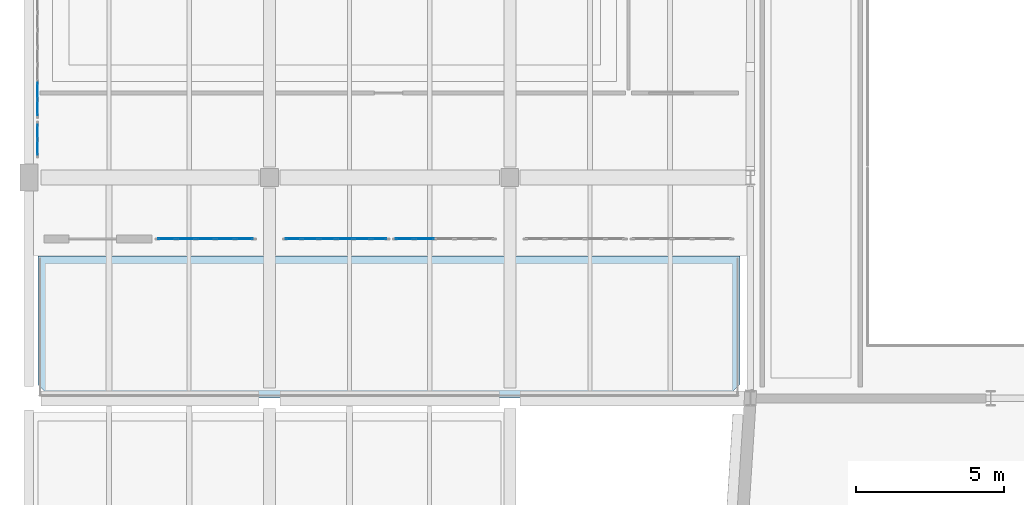
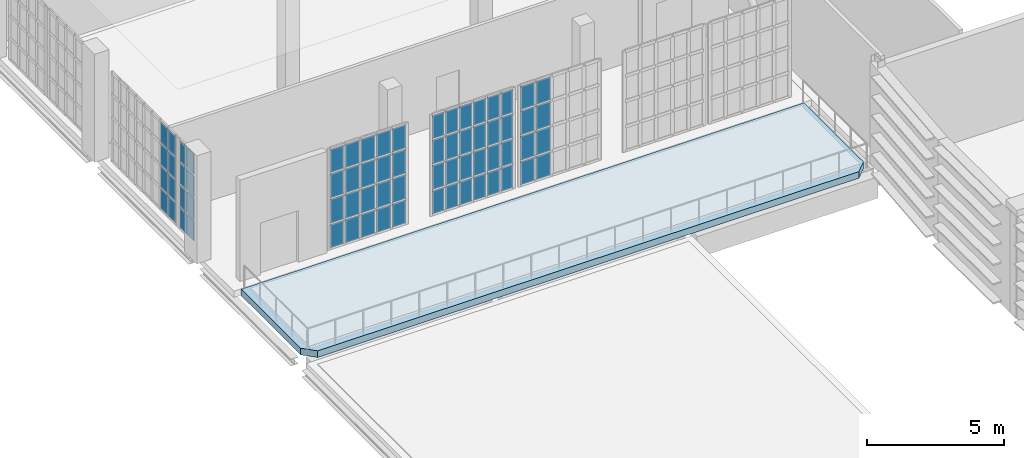
# One storey, part 69 of 104: 68 plates, 1 slab, 5 elements without a shape of their own.
"""IFC4 building model written with IfcOpenShell, lengths in metres."""

from ifc_helpers import new_model, si_unit, direction, frame, origin, origin_2d, place, context, subcontext, project, spatial, polyline, rectangle, outline, extrude, material, layer, layer_set, type_object, element, aggregate, save


model = new_model("IFC4")

# Units and contexts
model_context = context("Model", 3, precision=1e-05, world=origin(), true_north=direction((0.0, 1.0)))
body_context = subcontext(model_context, "Body", "Model", "MODEL_VIEW")
ifc_project = project(units=[si_unit("LENGTHUNIT", "METRE"), si_unit("AREAUNIT", "SQUARE_METRE"), si_unit("VOLUMEUNIT", "CUBIC_METRE"), si_unit("PLANEANGLEUNIT", "RADIAN"), si_unit("MASSUNIT", "GRAM", prefix="KILO")], contexts=[model_context])

# Site, building, storey
site_placement = place(None, origin())
site = spatial("IfcSite", under=ifc_project, at=site_placement, CompositionType="ELEMENT")
building_placement = place(site_placement, origin())
building = spatial("IfcBuilding", under=site, at=building_placement, Name="Kaelora Sail Theatre", CompositionType="ELEMENT")
storey_placement = place(building_placement, frame((0.0, 0.0, 5.39990234375)))
storey = spatial("IfcBuildingStorey", under=building, at=storey_placement, Name="L01", CompositionType="ELEMENT", Elevation=5.39990234375)

# Curtain wall, plates
ifc_material_1 = material(Name="Anodised aluminium and solar-control low-E IGU", Category="aluminium")
curtain_wall_type_1 = type_object("IfcCurtainWallType", Name="ARC-CW-CW-FOY2", PredefinedType="NOTDEFINED", material=ifc_material_1)
curtain_wall_1_placement = place(storey_placement, origin())
curtain_wall_1 = element("IfcCurtainWall", 1, at=curtain_wall_1_placement, inside=storey, type_object=curtain_wall_type_1, Name="Glazed Foyer/Conservatory Curtain Wall FW1-S-L01-01", PredefinedType="NOTDEFINED")
ifc_material_2 = material(Name="Solar-control laminated low-E glass", Category="glass")
ifc_layer_1 = layer(ifc_material_2, 0.031982421875)
ifc_layer_set_1 = layer_set([ifc_layer_1], Name="Solar-control laminated low-E glass")
plate_type = type_object("IfcPlateType", Name="ARC-CW-PNL", PredefinedType="CURTAIN_PANEL", material=ifc_layer_set_1)
plate_1_placement = place(storey_placement, frame((6.14501953125, 66.389892578125, 0.0703125), z_axis=(0.0, 0.0, 1.0), x_axis=(1.0, 0.0, 0.0)))
plate_1 = element("IfcPlate", 2, at=plate_1_placement, type_object=plate_type, Name="CW-FOY2 panel 1.1", PredefinedType="CURTAIN_PANEL", context=body_context, shape_type="SweptSolid", body=[
    extrude(rectangle(XDim=0.570068359375, YDim=0.031982421875, at=origin_2d()), origin(), (0.0, 0.0, 1.0), 1.021240234375),
])
plate_2_placement = place(storey_placement, frame((6.14501953125, 66.389892578125, 1.161376953125), z_axis=(0.0, 0.0, 1.0), x_axis=(1.0, 0.0, 0.0)))
plate_2 = element("IfcPlate", 3, at=plate_2_placement, type_object=plate_type, Name="CW-FOY2 panel 1.2", PredefinedType="CURTAIN_PANEL", context=body_context, shape_type="SweptSolid", body=[
    extrude(rectangle(XDim=0.570068359375, YDim=0.031982421875, at=origin_2d()), origin(), (0.0, 0.0, 1.0), 1.05615234375),
])
plate_3_placement = place(storey_placement, frame((6.14501953125, 66.389892578125, 2.28759765625), z_axis=(0.0, 0.0, 1.0), x_axis=(1.0, 0.0, 0.0)))
plate_3 = element("IfcPlate", 4, at=plate_3_placement, type_object=plate_type, Name="CW-FOY2 panel 1.3", PredefinedType="CURTAIN_PANEL", context=body_context, shape_type="SweptSolid", body=[
    extrude(rectangle(XDim=0.570068359375, YDim=0.031982421875, at=origin_2d()), origin(), (0.0, 0.0, 1.0), 1.056396484375),
])
plate_4_placement = place(storey_placement, frame((6.14501953125, 66.389892578125, 3.4140625), z_axis=(0.0, 0.0, 1.0), x_axis=(1.0, 0.0, 0.0)))
plate_4 = element("IfcPlate", 5, at=plate_4_placement, type_object=plate_type, Name="CW-FOY2 panel 1.4", PredefinedType="CURTAIN_PANEL", context=body_context, shape_type="SweptSolid", body=[
    extrude(rectangle(XDim=0.570068359375, YDim=0.031982421875, at=origin_2d()), origin(), (0.0, 0.0, 1.0), 1.021240234375),
])
plate_5_placement = place(storey_placement, frame((6.7900390625, 66.389892578125, 0.0703125), z_axis=(0.0, 0.0, 1.0), x_axis=(1.0, 0.0, 0.0)))
plate_5 = element("IfcPlate", 6, at=plate_5_placement, type_object=plate_type, Name="CW-FOY2 panel 2.1", PredefinedType="CURTAIN_PANEL", context=body_context, shape_type="SweptSolid", body=[
    extrude(rectangle(XDim=0.60009765625, YDim=0.031982421875, at=origin_2d()), origin(), (0.0, 0.0, 1.0), 1.021240234375),
])
plate_6_placement = place(storey_placement, frame((6.7900390625, 66.389892578125, 1.161376953125), z_axis=(0.0, 0.0, 1.0), x_axis=(1.0, 0.0, 0.0)))
plate_6 = element("IfcPlate", 7, at=plate_6_placement, type_object=plate_type, Name="CW-FOY2 panel 2.2", PredefinedType="CURTAIN_PANEL", context=body_context, shape_type="SweptSolid", body=[
    extrude(rectangle(XDim=0.60009765625, YDim=0.031982421875, at=origin_2d()), origin(), (0.0, 0.0, 1.0), 1.05615234375),
])
plate_7_placement = place(storey_placement, frame((6.7900390625, 66.389892578125, 2.28759765625), z_axis=(0.0, 0.0, 1.0), x_axis=(1.0, 0.0, 0.0)))
plate_7 = element("IfcPlate", 8, at=plate_7_placement, type_object=plate_type, Name="CW-FOY2 panel 2.3", PredefinedType="CURTAIN_PANEL", context=body_context, shape_type="SweptSolid", body=[
    extrude(rectangle(XDim=0.60009765625, YDim=0.031982421875, at=origin_2d()), origin(), (0.0, 0.0, 1.0), 1.056396484375),
])
plate_8_placement = place(storey_placement, frame((6.7900390625, 66.389892578125, 3.4140625), z_axis=(0.0, 0.0, 1.0), x_axis=(1.0, 0.0, 0.0)))
plate_8 = element("IfcPlate", 9, at=plate_8_placement, type_object=plate_type, Name="CW-FOY2 panel 2.4", PredefinedType="CURTAIN_PANEL", context=body_context, shape_type="SweptSolid", body=[
    extrude(rectangle(XDim=0.60009765625, YDim=0.031982421875, at=origin_2d()), origin(), (0.0, 0.0, 1.0), 1.021240234375),
])
plate_9_placement = place(storey_placement, frame((7.449951171875, 66.389892578125, 0.0703125), z_axis=(0.0, 0.0, 1.0), x_axis=(1.0, 0.0, 0.0)))
plate_9 = element("IfcPlate", 10, at=plate_9_placement, type_object=plate_type, Name="CW-FOY2 panel 3.1", PredefinedType="CURTAIN_PANEL", context=body_context, shape_type="SweptSolid", body=[
    extrude(rectangle(XDim=0.60009765625, YDim=0.031982421875, at=origin_2d()), origin(), (0.0, 0.0, 1.0), 1.021240234375),
])
plate_10_placement = place(storey_placement, frame((7.449951171875, 66.389892578125, 1.161376953125), z_axis=(0.0, 0.0, 1.0), x_axis=(1.0, 0.0, 0.0)))
plate_10 = element("IfcPlate", 11, at=plate_10_placement, type_object=plate_type, Name="CW-FOY2 panel 3.2", PredefinedType="CURTAIN_PANEL", context=body_context, shape_type="SweptSolid", body=[
    extrude(rectangle(XDim=0.60009765625, YDim=0.031982421875, at=origin_2d()), origin(), (0.0, 0.0, 1.0), 1.05615234375),
])
plate_11_placement = place(storey_placement, frame((7.449951171875, 66.389892578125, 2.28759765625), z_axis=(0.0, 0.0, 1.0), x_axis=(1.0, 0.0, 0.0)))
plate_11 = element("IfcPlate", 12, at=plate_11_placement, type_object=plate_type, Name="CW-FOY2 panel 3.3", PredefinedType="CURTAIN_PANEL", context=body_context, shape_type="SweptSolid", body=[
    extrude(rectangle(XDim=0.60009765625, YDim=0.031982421875, at=origin_2d()), origin(), (0.0, 0.0, 1.0), 1.056396484375),
])
plate_12_placement = place(storey_placement, frame((7.449951171875, 66.389892578125, 3.4140625), z_axis=(0.0, 0.0, 1.0), x_axis=(1.0, 0.0, 0.0)))
plate_12 = element("IfcPlate", 13, at=plate_12_placement, type_object=plate_type, Name="CW-FOY2 panel 3.4", PredefinedType="CURTAIN_PANEL", context=body_context, shape_type="SweptSolid", body=[
    extrude(rectangle(XDim=0.60009765625, YDim=0.031982421875, at=origin_2d()), origin(), (0.0, 0.0, 1.0), 1.021240234375),
])
plate_13_placement = place(storey_placement, frame((8.110107421875, 66.389892578125, 0.0703125), z_axis=(0.0, 0.0, 1.0), x_axis=(1.0, 0.0, 0.0)))
plate_13 = element("IfcPlate", 14, at=plate_13_placement, type_object=plate_type, Name="CW-FOY2 panel 4.1", PredefinedType="CURTAIN_PANEL", context=body_context, shape_type="SweptSolid", body=[
    extrude(rectangle(XDim=0.60009765625, YDim=0.031982421875, at=origin_2d()), origin(), (0.0, 0.0, 1.0), 1.021240234375),
])
plate_14_placement = place(storey_placement, frame((8.110107421875, 66.389892578125, 1.161376953125), z_axis=(0.0, 0.0, 1.0), x_axis=(1.0, 0.0, 0.0)))
plate_14 = element("IfcPlate", 15, at=plate_14_placement, type_object=plate_type, Name="CW-FOY2 panel 4.2", PredefinedType="CURTAIN_PANEL", context=body_context, shape_type="SweptSolid", body=[
    extrude(rectangle(XDim=0.60009765625, YDim=0.031982421875, at=origin_2d()), origin(), (0.0, 0.0, 1.0), 1.05615234375),
])
plate_15_placement = place(storey_placement, frame((8.110107421875, 66.389892578125, 2.28759765625), z_axis=(0.0, 0.0, 1.0), x_axis=(1.0, 0.0, 0.0)))
plate_15 = element("IfcPlate", 16, at=plate_15_placement, type_object=plate_type, Name="CW-FOY2 panel 4.3", PredefinedType="CURTAIN_PANEL", context=body_context, shape_type="SweptSolid", body=[
    extrude(rectangle(XDim=0.60009765625, YDim=0.031982421875, at=origin_2d()), origin(), (0.0, 0.0, 1.0), 1.056396484375),
])
plate_16_placement = place(storey_placement, frame((8.110107421875, 66.389892578125, 3.4140625), z_axis=(0.0, 0.0, 1.0), x_axis=(1.0, 0.0, 0.0)))
plate_16 = element("IfcPlate", 17, at=plate_16_placement, type_object=plate_type, Name="CW-FOY2 panel 4.4", PredefinedType="CURTAIN_PANEL", context=body_context, shape_type="SweptSolid", body=[
    extrude(rectangle(XDim=0.60009765625, YDim=0.031982421875, at=origin_2d()), origin(), (0.0, 0.0, 1.0), 1.021240234375),
])
plate_17_placement = place(storey_placement, frame((8.7548828125, 66.389892578125, 0.0703125), z_axis=(0.0, 0.0, 1.0), x_axis=(1.0, 0.0, 0.0)))
plate_17 = element("IfcPlate", 18, at=plate_17_placement, type_object=plate_type, Name="CW-FOY2 panel 5.1", PredefinedType="CURTAIN_PANEL", context=body_context, shape_type="SweptSolid", body=[
    extrude(rectangle(XDim=0.570068359375, YDim=0.031982421875, at=origin_2d()), origin(), (0.0, 0.0, 1.0), 1.021240234375),
])
plate_18_placement = place(storey_placement, frame((8.7548828125, 66.389892578125, 1.161376953125), z_axis=(0.0, 0.0, 1.0), x_axis=(1.0, 0.0, 0.0)))
plate_18 = element("IfcPlate", 19, at=plate_18_placement, type_object=plate_type, Name="CW-FOY2 panel 5.2", PredefinedType="CURTAIN_PANEL", context=body_context, shape_type="SweptSolid", body=[
    extrude(rectangle(XDim=0.570068359375, YDim=0.031982421875, at=origin_2d()), origin(), (0.0, 0.0, 1.0), 1.05615234375),
])
plate_19_placement = place(storey_placement, frame((8.7548828125, 66.389892578125, 2.28759765625), z_axis=(0.0, 0.0, 1.0), x_axis=(1.0, 0.0, 0.0)))
plate_19 = element("IfcPlate", 20, at=plate_19_placement, type_object=plate_type, Name="CW-FOY2 panel 5.3", PredefinedType="CURTAIN_PANEL", context=body_context, shape_type="SweptSolid", body=[
    extrude(rectangle(XDim=0.570068359375, YDim=0.031982421875, at=origin_2d()), origin(), (0.0, 0.0, 1.0), 1.056396484375),
])
plate_20_placement = place(storey_placement, frame((8.7548828125, 66.389892578125, 3.4140625), z_axis=(0.0, 0.0, 1.0), x_axis=(1.0, 0.0, 0.0)))
plate_20 = element("IfcPlate", 21, at=plate_20_placement, type_object=plate_type, Name="CW-FOY2 panel 5.4", PredefinedType="CURTAIN_PANEL", context=body_context, shape_type="SweptSolid", body=[
    extrude(rectangle(XDim=0.570068359375, YDim=0.031982421875, at=origin_2d()), origin(), (0.0, 0.0, 1.0), 1.021240234375),
])
aggregate(curtain_wall_1, [plate_1, plate_2, plate_3, plate_4, plate_5, plate_6, plate_7, plate_8, plate_9, plate_10, plate_11, plate_12, plate_13, plate_14, plate_15, plate_16, plate_17, plate_18, plate_19, plate_20])

curtain_wall_2_placement = place(storey_placement, origin())
curtain_wall_2 = element("IfcCurtainWall", 22, at=curtain_wall_2_placement, inside=storey, type_object=curtain_wall_type_1, Name="Glazed Foyer/Conservatory Curtain Wall FW1-S-L01-02", PredefinedType="NOTDEFINED")
plate_21_placement = place(storey_placement, frame((10.40673828125, 66.389892578125, 0.0703125), z_axis=(0.0, 0.0, 1.0), x_axis=(1.0, 0.0, 0.0)))
plate_21 = element("IfcPlate", 23, at=plate_21_placement, type_object=plate_type, Name="CW-FOY2 panel 1.1", PredefinedType="CURTAIN_PANEL", context=body_context, shape_type="SweptSolid", body=[
    extrude(rectangle(XDim=0.493408203125, YDim=0.031982421875, at=origin_2d()), origin(), (0.0, 0.0, 1.0), 1.021240234375),
])
plate_22_placement = place(storey_placement, frame((10.40673828125, 66.389892578125, 1.161376953125), z_axis=(0.0, 0.0, 1.0), x_axis=(1.0, 0.0, 0.0)))
plate_22 = element("IfcPlate", 24, at=plate_22_placement, type_object=plate_type, Name="CW-FOY2 panel 1.2", PredefinedType="CURTAIN_PANEL", context=body_context, shape_type="SweptSolid", body=[
    extrude(rectangle(XDim=0.493408203125, YDim=0.031982421875, at=origin_2d()), origin(), (0.0, 0.0, 1.0), 1.05615234375),
])
plate_23_placement = place(storey_placement, frame((10.40673828125, 66.389892578125, 2.28759765625), z_axis=(0.0, 0.0, 1.0), x_axis=(1.0, 0.0, 0.0)))
plate_23 = element("IfcPlate", 25, at=plate_23_placement, type_object=plate_type, Name="CW-FOY2 panel 1.3", PredefinedType="CURTAIN_PANEL", context=body_context, shape_type="SweptSolid", body=[
    extrude(rectangle(XDim=0.493408203125, YDim=0.031982421875, at=origin_2d()), origin(), (0.0, 0.0, 1.0), 1.056396484375),
])
plate_24_placement = place(storey_placement, frame((10.40673828125, 66.389892578125, 3.4140625), z_axis=(0.0, 0.0, 1.0), x_axis=(1.0, 0.0, 0.0)))
plate_24 = element("IfcPlate", 26, at=plate_24_placement, type_object=plate_type, Name="CW-FOY2 panel 1.4", PredefinedType="CURTAIN_PANEL", context=body_context, shape_type="SweptSolid", body=[
    extrude(rectangle(XDim=0.493408203125, YDim=0.031982421875, at=origin_2d()), origin(), (0.0, 0.0, 1.0), 1.021240234375),
])
plate_25_placement = place(storey_placement, frame((10.97509765625, 66.389892578125, 0.0703125), z_axis=(0.0, 0.0, 1.0), x_axis=(1.0, 0.0, 0.0)))
plate_25 = element("IfcPlate", 27, at=plate_25_placement, type_object=plate_type, Name="CW-FOY2 panel 2.1", PredefinedType="CURTAIN_PANEL", context=body_context, shape_type="SweptSolid", body=[
    extrude(rectangle(XDim=0.5234375, YDim=0.031982421875, at=origin_2d()), origin(), (0.0, 0.0, 1.0), 1.021240234375),
])
plate_26_placement = place(storey_placement, frame((10.97509765625, 66.389892578125, 1.161376953125), z_axis=(0.0, 0.0, 1.0), x_axis=(1.0, 0.0, 0.0)))
plate_26 = element("IfcPlate", 28, at=plate_26_placement, type_object=plate_type, Name="CW-FOY2 panel 2.2", PredefinedType="CURTAIN_PANEL", context=body_context, shape_type="SweptSolid", body=[
    extrude(rectangle(XDim=0.5234375, YDim=0.031982421875, at=origin_2d()), origin(), (0.0, 0.0, 1.0), 1.05615234375),
])
plate_27_placement = place(storey_placement, frame((10.97509765625, 66.389892578125, 2.28759765625), z_axis=(0.0, 0.0, 1.0), x_axis=(1.0, 0.0, 0.0)))
plate_27 = element("IfcPlate", 29, at=plate_27_placement, type_object=plate_type, Name="CW-FOY2 panel 2.3", PredefinedType="CURTAIN_PANEL", context=body_context, shape_type="SweptSolid", body=[
    extrude(rectangle(XDim=0.5234375, YDim=0.031982421875, at=origin_2d()), origin(), (0.0, 0.0, 1.0), 1.056396484375),
])
plate_28_placement = place(storey_placement, frame((10.97509765625, 66.389892578125, 3.4140625), z_axis=(0.0, 0.0, 1.0), x_axis=(1.0, 0.0, 0.0)))
plate_28 = element("IfcPlate", 30, at=plate_28_placement, type_object=plate_type, Name="CW-FOY2 panel 2.4", PredefinedType="CURTAIN_PANEL", context=body_context, shape_type="SweptSolid", body=[
    extrude(rectangle(XDim=0.5234375, YDim=0.031982421875, at=origin_2d()), origin(), (0.0, 0.0, 1.0), 1.021240234375),
])
plate_29_placement = place(storey_placement, frame((11.558349609375, 66.389892578125, 0.0703125), z_axis=(0.0, 0.0, 1.0), x_axis=(1.0, 0.0, 0.0)))
plate_29 = element("IfcPlate", 31, at=plate_29_placement, type_object=plate_type, Name="CW-FOY2 panel 3.1", PredefinedType="CURTAIN_PANEL", context=body_context, shape_type="SweptSolid", body=[
    extrude(rectangle(XDim=0.5234375, YDim=0.031982421875, at=origin_2d()), origin(), (0.0, 0.0, 1.0), 1.021240234375),
])
plate_30_placement = place(storey_placement, frame((11.558349609375, 66.389892578125, 1.161376953125), z_axis=(0.0, 0.0, 1.0), x_axis=(1.0, 0.0, 0.0)))
plate_30 = element("IfcPlate", 32, at=plate_30_placement, type_object=plate_type, Name="CW-FOY2 panel 3.2", PredefinedType="CURTAIN_PANEL", context=body_context, shape_type="SweptSolid", body=[
    extrude(rectangle(XDim=0.5234375, YDim=0.031982421875, at=origin_2d()), origin(), (0.0, 0.0, 1.0), 1.05615234375),
])
plate_31_placement = place(storey_placement, frame((11.558349609375, 66.389892578125, 2.28759765625), z_axis=(0.0, 0.0, 1.0), x_axis=(1.0, 0.0, 0.0)))
plate_31 = element("IfcPlate", 33, at=plate_31_placement, type_object=plate_type, Name="CW-FOY2 panel 3.3", PredefinedType="CURTAIN_PANEL", context=body_context, shape_type="SweptSolid", body=[
    extrude(rectangle(XDim=0.5234375, YDim=0.031982421875, at=origin_2d()), origin(), (0.0, 0.0, 1.0), 1.056396484375),
])
plate_32_placement = place(storey_placement, frame((11.558349609375, 66.389892578125, 3.4140625), z_axis=(0.0, 0.0, 1.0), x_axis=(1.0, 0.0, 0.0)))
plate_32 = element("IfcPlate", 34, at=plate_32_placement, type_object=plate_type, Name="CW-FOY2 panel 3.4", PredefinedType="CURTAIN_PANEL", context=body_context, shape_type="SweptSolid", body=[
    extrude(rectangle(XDim=0.5234375, YDim=0.031982421875, at=origin_2d()), origin(), (0.0, 0.0, 1.0), 1.021240234375),
])
plate_33_placement = place(storey_placement, frame((12.1416015625, 66.389892578125, 0.0703125), z_axis=(0.0, 0.0, 1.0), x_axis=(1.0, 0.0, 0.0)))
plate_33 = element("IfcPlate", 35, at=plate_33_placement, type_object=plate_type, Name="CW-FOY2 panel 4.1", PredefinedType="CURTAIN_PANEL", context=body_context, shape_type="SweptSolid", body=[
    extrude(rectangle(XDim=0.5234375, YDim=0.031982421875, at=origin_2d()), origin(), (0.0, 0.0, 1.0), 1.021240234375),
])
plate_34_placement = place(storey_placement, frame((12.1416015625, 66.389892578125, 1.161376953125), z_axis=(0.0, 0.0, 1.0), x_axis=(1.0, 0.0, 0.0)))
plate_34 = element("IfcPlate", 36, at=plate_34_placement, type_object=plate_type, Name="CW-FOY2 panel 4.2", PredefinedType="CURTAIN_PANEL", context=body_context, shape_type="SweptSolid", body=[
    extrude(rectangle(XDim=0.5234375, YDim=0.031982421875, at=origin_2d()), origin(), (0.0, 0.0, 1.0), 1.05615234375),
])
plate_35_placement = place(storey_placement, frame((12.1416015625, 66.389892578125, 2.28759765625), z_axis=(0.0, 0.0, 1.0), x_axis=(1.0, 0.0, 0.0)))
plate_35 = element("IfcPlate", 37, at=plate_35_placement, type_object=plate_type, Name="CW-FOY2 panel 4.3", PredefinedType="CURTAIN_PANEL", context=body_context, shape_type="SweptSolid", body=[
    extrude(rectangle(XDim=0.5234375, YDim=0.031982421875, at=origin_2d()), origin(), (0.0, 0.0, 1.0), 1.056396484375),
])
plate_36_placement = place(storey_placement, frame((12.1416015625, 66.389892578125, 3.4140625), z_axis=(0.0, 0.0, 1.0), x_axis=(1.0, 0.0, 0.0)))
plate_36 = element("IfcPlate", 38, at=plate_36_placement, type_object=plate_type, Name="CW-FOY2 panel 4.4", PredefinedType="CURTAIN_PANEL", context=body_context, shape_type="SweptSolid", body=[
    extrude(rectangle(XDim=0.5234375, YDim=0.031982421875, at=origin_2d()), origin(), (0.0, 0.0, 1.0), 1.021240234375),
])
plate_37_placement = place(storey_placement, frame((12.72509765625, 66.389892578125, 0.0703125), z_axis=(0.0, 0.0, 1.0), x_axis=(1.0, 0.0, 0.0)))
plate_37 = element("IfcPlate", 39, at=plate_37_placement, type_object=plate_type, Name="CW-FOY2 panel 5.1", PredefinedType="CURTAIN_PANEL", context=body_context, shape_type="SweptSolid", body=[
    extrude(rectangle(XDim=0.5234375, YDim=0.031982421875, at=origin_2d()), origin(), (0.0, 0.0, 1.0), 1.021240234375),
])
plate_38_placement = place(storey_placement, frame((12.72509765625, 66.389892578125, 1.161376953125), z_axis=(0.0, 0.0, 1.0), x_axis=(1.0, 0.0, 0.0)))
plate_38 = element("IfcPlate", 40, at=plate_38_placement, type_object=plate_type, Name="CW-FOY2 panel 5.2", PredefinedType="CURTAIN_PANEL", context=body_context, shape_type="SweptSolid", body=[
    extrude(rectangle(XDim=0.5234375, YDim=0.031982421875, at=origin_2d()), origin(), (0.0, 0.0, 1.0), 1.05615234375),
])
plate_39_placement = place(storey_placement, frame((12.72509765625, 66.389892578125, 2.28759765625), z_axis=(0.0, 0.0, 1.0), x_axis=(1.0, 0.0, 0.0)))
plate_39 = element("IfcPlate", 41, at=plate_39_placement, type_object=plate_type, Name="CW-FOY2 panel 5.3", PredefinedType="CURTAIN_PANEL", context=body_context, shape_type="SweptSolid", body=[
    extrude(rectangle(XDim=0.5234375, YDim=0.031982421875, at=origin_2d()), origin(), (0.0, 0.0, 1.0), 1.056396484375),
])
plate_40_placement = place(storey_placement, frame((12.72509765625, 66.389892578125, 3.4140625), z_axis=(0.0, 0.0, 1.0), x_axis=(1.0, 0.0, 0.0)))
plate_40 = element("IfcPlate", 42, at=plate_40_placement, type_object=plate_type, Name="CW-FOY2 panel 5.4", PredefinedType="CURTAIN_PANEL", context=body_context, shape_type="SweptSolid", body=[
    extrude(rectangle(XDim=0.5234375, YDim=0.031982421875, at=origin_2d()), origin(), (0.0, 0.0, 1.0), 1.021240234375),
])
plate_41_placement = place(storey_placement, frame((13.293212890625, 66.389892578125, 0.0703125), z_axis=(0.0, 0.0, 1.0), x_axis=(1.0, 0.0, 0.0)))
plate_41 = element("IfcPlate", 43, at=plate_41_placement, type_object=plate_type, Name="CW-FOY2 panel 6.1", PredefinedType="CURTAIN_PANEL", context=body_context, shape_type="SweptSolid", body=[
    extrude(rectangle(XDim=0.493408203125, YDim=0.031982421875, at=origin_2d()), origin(), (0.0, 0.0, 1.0), 1.021240234375),
])
plate_42_placement = place(storey_placement, frame((13.293212890625, 66.389892578125, 1.161376953125), z_axis=(0.0, 0.0, 1.0), x_axis=(1.0, 0.0, 0.0)))
plate_42 = element("IfcPlate", 44, at=plate_42_placement, type_object=plate_type, Name="CW-FOY2 panel 6.2", PredefinedType="CURTAIN_PANEL", context=body_context, shape_type="SweptSolid", body=[
    extrude(rectangle(XDim=0.493408203125, YDim=0.031982421875, at=origin_2d()), origin(), (0.0, 0.0, 1.0), 1.05615234375),
])
plate_43_placement = place(storey_placement, frame((13.293212890625, 66.389892578125, 2.28759765625), z_axis=(0.0, 0.0, 1.0), x_axis=(1.0, 0.0, 0.0)))
plate_43 = element("IfcPlate", 45, at=plate_43_placement, type_object=plate_type, Name="CW-FOY2 panel 6.3", PredefinedType="CURTAIN_PANEL", context=body_context, shape_type="SweptSolid", body=[
    extrude(rectangle(XDim=0.493408203125, YDim=0.031982421875, at=origin_2d()), origin(), (0.0, 0.0, 1.0), 1.056396484375),
])
plate_44_placement = place(storey_placement, frame((13.293212890625, 66.389892578125, 3.4140625), z_axis=(0.0, 0.0, 1.0), x_axis=(1.0, 0.0, 0.0)))
plate_44 = element("IfcPlate", 46, at=plate_44_placement, type_object=plate_type, Name="CW-FOY2 panel 6.4", PredefinedType="CURTAIN_PANEL", context=body_context, shape_type="SweptSolid", body=[
    extrude(rectangle(XDim=0.493408203125, YDim=0.031982421875, at=origin_2d()), origin(), (0.0, 0.0, 1.0), 1.021240234375),
])
aggregate(curtain_wall_2, [plate_21, plate_22, plate_23, plate_24, plate_25, plate_26, plate_27, plate_28, plate_29, plate_30, plate_31, plate_32, plate_33, plate_34, plate_35, plate_36, plate_37, plate_38, plate_39, plate_40, plate_41, plate_42, plate_43, plate_44])

curtain_wall_3_placement = place(storey_placement, origin())
curtain_wall_3 = element("IfcCurtainWall", 47, at=curtain_wall_3_placement, inside=storey, type_object=curtain_wall_type_1, Name="Glazed Foyer/Conservatory Curtain Wall FW1-S-L01-03", PredefinedType="NOTDEFINED")
plate_45_placement = place(storey_placement, frame((14.155029296875, 66.389892578125, 0.0703125), z_axis=(0.0, 0.0, 1.0), x_axis=(1.0, 0.0, 0.0)))
plate_45 = element("IfcPlate", 48, at=plate_45_placement, type_object=plate_type, Name="CW-FOY2 panel 1.1", PredefinedType="CURTAIN_PANEL", context=body_context, shape_type="SweptSolid", body=[
    extrude(rectangle(XDim=0.590087890625, YDim=0.031982421875, at=origin_2d()), origin(), (0.0, 0.0, 1.0), 1.021240234375),
])
plate_46_placement = place(storey_placement, frame((14.155029296875, 66.389892578125, 1.161376953125), z_axis=(0.0, 0.0, 1.0), x_axis=(1.0, 0.0, 0.0)))
plate_46 = element("IfcPlate", 49, at=plate_46_placement, type_object=plate_type, Name="CW-FOY2 panel 1.2", PredefinedType="CURTAIN_PANEL", context=body_context, shape_type="SweptSolid", body=[
    extrude(rectangle(XDim=0.590087890625, YDim=0.031982421875, at=origin_2d()), origin(), (0.0, 0.0, 1.0), 1.05615234375),
])
plate_47_placement = place(storey_placement, frame((14.155029296875, 66.389892578125, 2.28759765625), z_axis=(0.0, 0.0, 1.0), x_axis=(1.0, 0.0, 0.0)))
plate_47 = element("IfcPlate", 50, at=plate_47_placement, type_object=plate_type, Name="CW-FOY2 panel 1.3", PredefinedType="CURTAIN_PANEL", context=body_context, shape_type="SweptSolid", body=[
    extrude(rectangle(XDim=0.590087890625, YDim=0.031982421875, at=origin_2d()), origin(), (0.0, 0.0, 1.0), 1.056396484375),
])
plate_48_placement = place(storey_placement, frame((14.155029296875, 66.389892578125, 3.4140625), z_axis=(0.0, 0.0, 1.0), x_axis=(1.0, 0.0, 0.0)))
plate_48 = element("IfcPlate", 51, at=plate_48_placement, type_object=plate_type, Name="CW-FOY2 panel 1.4", PredefinedType="CURTAIN_PANEL", context=body_context, shape_type="SweptSolid", body=[
    extrude(rectangle(XDim=0.590087890625, YDim=0.031982421875, at=origin_2d()), origin(), (0.0, 0.0, 1.0), 1.021240234375),
])
plate_49_placement = place(storey_placement, frame((14.820068359375, 66.389892578125, 0.0703125), z_axis=(0.0, 0.0, 1.0), x_axis=(1.0, 0.0, 0.0)))
plate_49 = element("IfcPlate", 52, at=plate_49_placement, type_object=plate_type, Name="CW-FOY2 panel 2.1", PredefinedType="CURTAIN_PANEL", context=body_context, shape_type="SweptSolid", body=[
    extrude(rectangle(XDim=0.6201171875, YDim=0.031982421875, at=origin_2d()), origin(), (0.0, 0.0, 1.0), 1.021240234375),
])
plate_50_placement = place(storey_placement, frame((14.820068359375, 66.389892578125, 1.161376953125), z_axis=(0.0, 0.0, 1.0), x_axis=(1.0, 0.0, 0.0)))
plate_50 = element("IfcPlate", 53, at=plate_50_placement, type_object=plate_type, Name="CW-FOY2 panel 2.2", PredefinedType="CURTAIN_PANEL", context=body_context, shape_type="SweptSolid", body=[
    extrude(rectangle(XDim=0.6201171875, YDim=0.031982421875, at=origin_2d()), origin(), (0.0, 0.0, 1.0), 1.05615234375),
])
plate_51_placement = place(storey_placement, frame((14.820068359375, 66.389892578125, 2.28759765625), z_axis=(0.0, 0.0, 1.0), x_axis=(1.0, 0.0, 0.0)))
plate_51 = element("IfcPlate", 54, at=plate_51_placement, type_object=plate_type, Name="CW-FOY2 panel 2.3", PredefinedType="CURTAIN_PANEL", context=body_context, shape_type="SweptSolid", body=[
    extrude(rectangle(XDim=0.6201171875, YDim=0.031982421875, at=origin_2d()), origin(), (0.0, 0.0, 1.0), 1.056396484375),
])
plate_52_placement = place(storey_placement, frame((14.820068359375, 66.389892578125, 3.4140625), z_axis=(0.0, 0.0, 1.0), x_axis=(1.0, 0.0, 0.0)))
plate_52 = element("IfcPlate", 55, at=plate_52_placement, type_object=plate_type, Name="CW-FOY2 panel 2.4", PredefinedType="CURTAIN_PANEL", context=body_context, shape_type="SweptSolid", body=[
    extrude(rectangle(XDim=0.6201171875, YDim=0.031982421875, at=origin_2d()), origin(), (0.0, 0.0, 1.0), 1.021240234375),
])
aggregate(curtain_wall_3, [plate_45, plate_46, plate_47, plate_48, plate_49, plate_50, plate_51, plate_52])

ifc_material_3 = material(Name="Anodised aluminium and solar-control low-E IGU", Category="aluminium")
curtain_wall_type_2 = type_object("IfcCurtainWallType", Name="ARC-CW-CW-PROW", PredefinedType="NOTDEFINED", material=ifc_material_3)
curtain_wall_4_placement = place(storey_placement, origin())
curtain_wall_4 = element("IfcCurtainWall", 56, at=curtain_wall_4_placement, inside=storey, type_object=curtain_wall_type_2, Name="Glazed Colonnade/Courtyard Curtain Wall FW1-W-L01-01", PredefinedType="NOTDEFINED")
plate_53_placement = place(storey_placement, frame((1.7900390625, 69.467529296875, 0.0703125), z_axis=(0.0, 0.0, 1.0), x_axis=(0.0, 1.0, 0.0)))
plate_53 = element("IfcPlate", 57, at=plate_53_placement, type_object=plate_type, Name="CW-PROW panel 1.1", PredefinedType="CURTAIN_PANEL", context=body_context, shape_type="SweptSolid", body=[
    extrude(rectangle(XDim=0.47509765625, YDim=0.031982421875, at=origin_2d()), origin(), (0.0, 0.0, 1.0), 0.891845703125),
])
plate_54_placement = place(storey_placement, frame((1.7900390625, 69.467529296875, 1.031982421875), z_axis=(0.0, 0.0, 1.0), x_axis=(0.0, 1.0, 0.0)))
plate_54 = element("IfcPlate", 58, at=plate_54_placement, type_object=plate_type, Name="CW-PROW panel 1.2", PredefinedType="CURTAIN_PANEL", context=body_context, shape_type="SweptSolid", body=[
    extrude(rectangle(XDim=0.47509765625, YDim=0.031982421875, at=origin_2d()), origin(), (0.0, 0.0, 1.0), 0.9267578125),
])
plate_55_placement = place(storey_placement, frame((1.7900390625, 69.467529296875, 2.028564453125), z_axis=(0.0, 0.0, 1.0), x_axis=(0.0, 1.0, 0.0)))
plate_55 = element("IfcPlate", 59, at=plate_55_placement, type_object=plate_type, Name="CW-PROW panel 1.3", PredefinedType="CURTAIN_PANEL", context=body_context, shape_type="SweptSolid", body=[
    extrude(rectangle(XDim=0.47509765625, YDim=0.031982421875, at=origin_2d()), origin(), (0.0, 0.0, 1.0), 0.9267578125),
])
plate_56_placement = place(storey_placement, frame((1.7900390625, 69.467529296875, 3.025390625), z_axis=(0.0, 0.0, 1.0), x_axis=(0.0, 1.0, 0.0)))
plate_56 = element("IfcPlate", 60, at=plate_56_placement, type_object=plate_type, Name="CW-PROW panel 1.4", PredefinedType="CURTAIN_PANEL", context=body_context, shape_type="SweptSolid", body=[
    extrude(rectangle(XDim=0.47509765625, YDim=0.031982421875, at=origin_2d()), origin(), (0.0, 0.0, 1.0), 0.891845703125),
])
plate_57_placement = place(storey_placement, frame((1.7900390625, 70.00244140625, 0.0703125), z_axis=(0.0, 0.0, 1.0), x_axis=(0.0, 1.0, 0.0)))
plate_57 = element("IfcPlate", 61, at=plate_57_placement, type_object=plate_type, Name="CW-PROW panel 2.1", PredefinedType="CURTAIN_PANEL", context=body_context, shape_type="SweptSolid", body=[
    extrude(rectangle(XDim=0.47509765625, YDim=0.031982421875, at=origin_2d()), origin(), (0.0, 0.0, 1.0), 0.891845703125),
])
plate_58_placement = place(storey_placement, frame((1.7900390625, 70.00244140625, 1.031982421875), z_axis=(0.0, 0.0, 1.0), x_axis=(0.0, 1.0, 0.0)))
plate_58 = element("IfcPlate", 62, at=plate_58_placement, type_object=plate_type, Name="CW-PROW panel 2.2", PredefinedType="CURTAIN_PANEL", context=body_context, shape_type="SweptSolid", body=[
    extrude(rectangle(XDim=0.47509765625, YDim=0.031982421875, at=origin_2d()), origin(), (0.0, 0.0, 1.0), 0.9267578125),
])
plate_59_placement = place(storey_placement, frame((1.7900390625, 70.00244140625, 2.028564453125), z_axis=(0.0, 0.0, 1.0), x_axis=(0.0, 1.0, 0.0)))
plate_59 = element("IfcPlate", 63, at=plate_59_placement, type_object=plate_type, Name="CW-PROW panel 2.3", PredefinedType="CURTAIN_PANEL", context=body_context, shape_type="SweptSolid", body=[
    extrude(rectangle(XDim=0.47509765625, YDim=0.031982421875, at=origin_2d()), origin(), (0.0, 0.0, 1.0), 0.9267578125),
])
plate_60_placement = place(storey_placement, frame((1.7900390625, 70.00244140625, 3.025390625), z_axis=(0.0, 0.0, 1.0), x_axis=(0.0, 1.0, 0.0)))
plate_60 = element("IfcPlate", 64, at=plate_60_placement, type_object=plate_type, Name="CW-PROW panel 2.4", PredefinedType="CURTAIN_PANEL", context=body_context, shape_type="SweptSolid", body=[
    extrude(rectangle(XDim=0.47509765625, YDim=0.031982421875, at=origin_2d()), origin(), (0.0, 0.0, 1.0), 0.891845703125),
])
aggregate(curtain_wall_4, [plate_53, plate_54, plate_55, plate_56, plate_57, plate_58, plate_59, plate_60])

curtain_wall_5_placement = place(storey_placement, origin())
curtain_wall_5 = element("IfcCurtainWall", 65, at=curtain_wall_5_placement, inside=storey, type_object=curtain_wall_type_2, Name="Glazed Colonnade/Courtyard Curtain Wall FW1-W-L01-02", PredefinedType="NOTDEFINED")
plate_61_placement = place(storey_placement, frame((1.7900390625, 70.80810546875, 0.0703125), z_axis=(0.0, 0.0, 1.0), x_axis=(0.0, 1.0, 0.0)))
plate_61 = element("IfcPlate", 66, at=plate_61_placement, type_object=plate_type, Name="CW-PROW panel 1.1", PredefinedType="CURTAIN_PANEL", context=body_context, shape_type="SweptSolid", body=[
    extrude(rectangle(XDim=0.496337890625, YDim=0.031982421875, at=origin_2d()), origin(), (0.0, 0.0, 1.0), 0.891845703125),
])
plate_62_placement = place(storey_placement, frame((1.7900390625, 70.80810546875, 1.031982421875), z_axis=(0.0, 0.0, 1.0), x_axis=(0.0, 1.0, 0.0)))
plate_62 = element("IfcPlate", 67, at=plate_62_placement, type_object=plate_type, Name="CW-PROW panel 1.2", PredefinedType="CURTAIN_PANEL", context=body_context, shape_type="SweptSolid", body=[
    extrude(rectangle(XDim=0.496337890625, YDim=0.031982421875, at=origin_2d()), origin(), (0.0, 0.0, 1.0), 0.9267578125),
])
plate_63_placement = place(storey_placement, frame((1.7900390625, 70.80810546875, 2.028564453125), z_axis=(0.0, 0.0, 1.0), x_axis=(0.0, 1.0, 0.0)))
plate_63 = element("IfcPlate", 68, at=plate_63_placement, type_object=plate_type, Name="CW-PROW panel 1.3", PredefinedType="CURTAIN_PANEL", context=body_context, shape_type="SweptSolid", body=[
    extrude(rectangle(XDim=0.496337890625, YDim=0.031982421875, at=origin_2d()), origin(), (0.0, 0.0, 1.0), 0.9267578125),
])
plate_64_placement = place(storey_placement, frame((1.7900390625, 70.80810546875, 3.025390625), z_axis=(0.0, 0.0, 1.0), x_axis=(0.0, 1.0, 0.0)))
plate_64 = element("IfcPlate", 69, at=plate_64_placement, type_object=plate_type, Name="CW-PROW panel 1.4", PredefinedType="CURTAIN_PANEL", context=body_context, shape_type="SweptSolid", body=[
    extrude(rectangle(XDim=0.496337890625, YDim=0.031982421875, at=origin_2d()), origin(), (0.0, 0.0, 1.0), 0.891845703125),
])
plate_65_placement = place(storey_placement, frame((1.7900390625, 71.37939453125, 0.0703125), z_axis=(0.0, 0.0, 1.0), x_axis=(0.0, 1.0, 0.0)))
plate_65 = element("IfcPlate", 70, at=plate_65_placement, type_object=plate_type, Name="CW-PROW panel 2.1", PredefinedType="CURTAIN_PANEL", context=body_context, shape_type="SweptSolid", body=[
    extrude(rectangle(XDim=0.5263671875, YDim=0.031982421875, at=origin_2d()), origin(), (0.0, 0.0, 1.0), 0.891845703125),
])
plate_66_placement = place(storey_placement, frame((1.7900390625, 71.37939453125, 1.031982421875), z_axis=(0.0, 0.0, 1.0), x_axis=(0.0, 1.0, 0.0)))
plate_66 = element("IfcPlate", 71, at=plate_66_placement, type_object=plate_type, Name="CW-PROW panel 2.2", PredefinedType="CURTAIN_PANEL", context=body_context, shape_type="SweptSolid", body=[
    extrude(rectangle(XDim=0.5263671875, YDim=0.031982421875, at=origin_2d()), origin(), (0.0, 0.0, 1.0), 0.9267578125),
])
plate_67_placement = place(storey_placement, frame((1.7900390625, 71.37939453125, 2.028564453125), z_axis=(0.0, 0.0, 1.0), x_axis=(0.0, 1.0, 0.0)))
plate_67 = element("IfcPlate", 72, at=plate_67_placement, type_object=plate_type, Name="CW-PROW panel 2.3", PredefinedType="CURTAIN_PANEL", context=body_context, shape_type="SweptSolid", body=[
    extrude(rectangle(XDim=0.5263671875, YDim=0.031982421875, at=origin_2d()), origin(), (0.0, 0.0, 1.0), 0.9267578125),
])
plate_68_placement = place(storey_placement, frame((1.7900390625, 71.37939453125, 3.025390625), z_axis=(0.0, 0.0, 1.0), x_axis=(0.0, 1.0, 0.0)))
plate_68 = element("IfcPlate", 73, at=plate_68_placement, type_object=plate_type, Name="CW-PROW panel 2.4", PredefinedType="CURTAIN_PANEL", context=body_context, shape_type="SweptSolid", body=[
    extrude(rectangle(XDim=0.5263671875, YDim=0.031982421875, at=origin_2d()), origin(), (0.0, 0.0, 1.0), 0.891845703125),
])
aggregate(curtain_wall_5, [plate_61, plate_62, plate_63, plate_64, plate_65, plate_66, plate_67, plate_68])

# Slab
ifc_material_4 = material(Name="Concrete C40/50", Category="concrete")
ifc_layer_2 = layer(ifc_material_4, 0.294921875)
ifc_layer_set_2 = layer_set([ifc_layer_2], Name="Concrete C40/50")
slab_type = type_object("IfcSlabType", Name="STR-SLB-SL-TR295", PredefinedType="FLOOR", material=ifc_layer_set_2)
slab_placement = place(storey_placement, frame((0.0, 0.0, -0.294921875)))
element("IfcSlab", 74, at=slab_placement, inside=storey, type_object=slab_type, Name="First Step West Colonnade Planted Podium Terrace", PredefinedType="FLOOR", context=body_context, shape_type="SweptSolid", body=[
    extrude(outline(polyline([(2.25, 61.034912109375), (25.0, 61.034912109375), (25.449951171875, 61.485107421875), (25.449951171875, 65.81494140625), (1.800048828125, 65.81494140625), (1.800048828125, 61.485107421875), (2.25, 61.034912109375)])), origin(), (0.0, 0.0, 1.0), 0.294921875),
])

save(model, "model.ifc")
